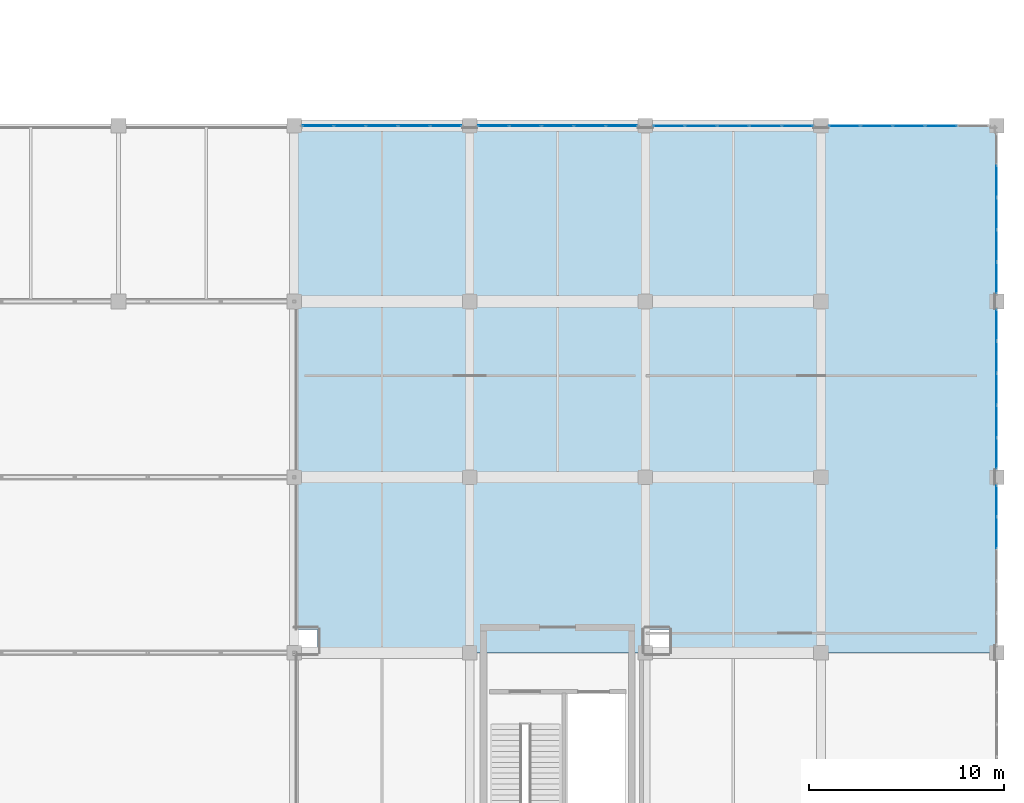
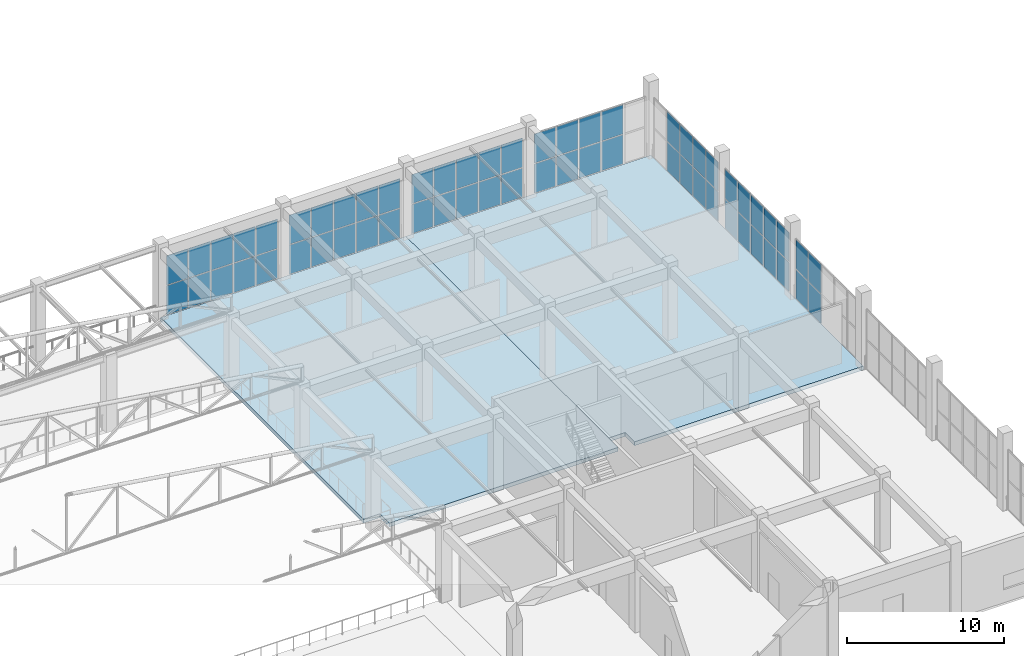
# One storey, part 175 of 223: 60 plates, 2 slabs, 7 elements without a shape of their own.
"""IFC4 building model written with IfcOpenShell, lengths in metres."""

from ifc_helpers import new_model, si_unit, direction, frame, origin, origin_2d, place, context, subcontext, project, spatial, polyline, rectangle, outline, extrude, material, layer, layer_set, type_object, element, aggregate, save


model = new_model("IFC4")

# Units and contexts
model_context = context("Model", 3, precision=1e-05, world=origin(), true_north=direction((0.0, 1.0)))
body_context = subcontext(model_context, "Body", "Model", "MODEL_VIEW")
ifc_project = project(units=[si_unit("LENGTHUNIT", "METRE"), si_unit("AREAUNIT", "SQUARE_METRE"), si_unit("VOLUMEUNIT", "CUBIC_METRE"), si_unit("PLANEANGLEUNIT", "RADIAN"), si_unit("MASSUNIT", "GRAM", prefix="KILO")], contexts=[model_context])

# Site, building, storey
site_placement = place(None, origin())
site = spatial("IfcSite", under=ifc_project, at=site_placement, CompositionType="ELEMENT")
building_placement = place(site_placement, origin())
building = spatial("IfcBuilding", under=site, at=building_placement, Name="Dornveld Trade and Exhibition Forum", CompositionType="ELEMENT")
storey_placement = place(building_placement, frame((0.0, 0.0, 6.0)))
storey = spatial("IfcBuildingStorey", under=building, at=storey_placement, Name="L01", CompositionType="ELEMENT", Elevation=6.0)

# Curtain wall, plates
ifc_material_1 = material(Name="Dark-bronze anodised aluminium and low-E glass", Category="aluminium")
ifc_layer_1 = layer(ifc_material_1, 0.14501953125)
ifc_layer_set_1 = layer_set([ifc_layer_1], Name="Dark-bronze anodised aluminium and low-E glass")
curtain_wall_type_1 = type_object("IfcCurtainWallType", Name="CW-SYS-01", PredefinedType="USERDEFINED", material=ifc_layer_set_1)
curtain_wall_1_placement = place(storey_placement, origin())
curtain_wall_1 = element("IfcCurtainWall", 1, at=curtain_wall_1_placement, inside=storey, type_object=curtain_wall_type_1, Name="L01 unitised curtain wall 73", ObjectType="UNITISED_CURTAIN_WALL", PredefinedType="USERDEFINED")
ifc_material_2 = material(Name="Double-glazed low-E solar control glass", Category="glass")
ifc_layer_2 = layer(ifc_material_2, 0.02587890625)
ifc_layer_set_2 = layer_set([ifc_layer_2], Name="Double-glazed low-E solar control glass")
plate_type_1 = type_object("IfcPlateType", Name="CW-PNL-01", PredefinedType="CURTAIN_PANEL", material=ifc_layer_set_2)
plate_1_placement = place(storey_placement, frame((234.0, 33.151611328125, 0.05615234375), z_axis=(0.0, 0.0, 1.0), x_axis=(0.0, 1.0, 0.0)))
plate_1 = element("IfcPlate", 2, at=plate_1_placement, type_object=plate_type_1, Name="CW-01 panel 4.1", PredefinedType="CURTAIN_PANEL", context=body_context, shape_type="SweptSolid", body=[
    extrude(rectangle(XDim=1.591552734375, YDim=0.02587890625, at=origin_2d()), origin(), (0.0, 0.0, 1.0), 2.261962890625),
])
plate_2_placement = place(storey_placement, frame((234.0, 33.151611328125, 2.3779296875), z_axis=(0.0, 0.0, 1.0), x_axis=(0.0, 1.0, 0.0)))
plate_2 = element("IfcPlate", 3, at=plate_2_placement, type_object=plate_type_1, Name="CW-01 panel 4.2", PredefinedType="CURTAIN_PANEL", context=body_context, shape_type="SweptSolid", body=[
    extrude(rectangle(XDim=1.591552734375, YDim=0.02587890625, at=origin_2d()), origin(), (0.0, 0.0, 1.0), 2.261962890625),
])
plate_3_placement = place(storey_placement, frame((234.0, 34.7880859375, 0.05615234375), z_axis=(0.0, 0.0, 1.0), x_axis=(0.0, 1.0, 0.0)))
plate_3 = element("IfcPlate", 4, at=plate_3_placement, type_object=plate_type_1, Name="CW-01 panel 5.1", PredefinedType="CURTAIN_PANEL", context=body_context, shape_type="SweptSolid", body=[
    extrude(rectangle(XDim=1.5615234375, YDim=0.02587890625, at=origin_2d()), origin(), (0.0, 0.0, 1.0), 2.261962890625),
])
plate_4_placement = place(storey_placement, frame((234.0, 34.7880859375, 2.3779296875), z_axis=(0.0, 0.0, 1.0), x_axis=(0.0, 1.0, 0.0)))
plate_4 = element("IfcPlate", 5, at=plate_4_placement, type_object=plate_type_1, Name="CW-01 panel 5.2", PredefinedType="CURTAIN_PANEL", context=body_context, shape_type="SweptSolid", body=[
    extrude(rectangle(XDim=1.5615234375, YDim=0.02587890625, at=origin_2d()), origin(), (0.0, 0.0, 1.0), 2.261962890625),
])
aggregate(curtain_wall_1, [plate_1, plate_2, plate_3, plate_4])

ifc_material_3 = material(Name="Dark-bronze anodised aluminium and low-E glass", Category="aluminium")
ifc_layer_3 = layer(ifc_material_3, 0.193115234375)
ifc_layer_set_3 = layer_set([ifc_layer_3], Name="Dark-bronze anodised aluminium and low-E glass")
curtain_wall_type_2 = type_object("IfcCurtainWallType", Name="CW-SYS-17", PredefinedType="USERDEFINED", material=ifc_layer_set_3)
curtain_wall_2_placement = place(storey_placement, origin())
curtain_wall_2 = element("IfcCurtainWall", 6, at=curtain_wall_2_placement, inside=storey, type_object=curtain_wall_type_2, Name="L01 unitised curtain wall 89", ObjectType="UNITISED_CURTAIN_WALL", PredefinedType="USERDEFINED")
plate_5_placement = place(storey_placement, frame((223.7880859375, 54.0, 0.05615234375), z_axis=(0.0, 0.0, 1.0), x_axis=(-1.0, 0.0, 0.0)))
plate_5 = element("IfcPlate", 7, at=plate_5_placement, type_object=plate_type_1, Name="CW-17 panel 1.1", PredefinedType="CURTAIN_PANEL", context=body_context, shape_type="SweptSolid", body=[
    extrude(rectangle(XDim=1.5615234375, YDim=0.02587890625, at=origin_2d()), origin(), (0.0, 0.0, 1.0), 2.261962890625),
])
plate_6_placement = place(storey_placement, frame((223.7880859375, 54.0, 2.3779296875), z_axis=(0.0, 0.0, 1.0), x_axis=(-1.0, 0.0, 0.0)))
plate_6 = element("IfcPlate", 8, at=plate_6_placement, type_object=plate_type_1, Name="CW-17 panel 1.2", PredefinedType="CURTAIN_PANEL", context=body_context, shape_type="SweptSolid", body=[
    extrude(rectangle(XDim=1.5615234375, YDim=0.02587890625, at=origin_2d()), origin(), (0.0, 0.0, 1.0), 2.261962890625),
])
plate_7_placement = place(storey_placement, frame((222.151611328125, 54.0, 0.05615234375), z_axis=(0.0, 0.0, 1.0), x_axis=(-1.0, 0.0, 0.0)))
plate_7 = element("IfcPlate", 9, at=plate_7_placement, type_object=plate_type_1, Name="CW-17 panel 2.1", PredefinedType="CURTAIN_PANEL", context=body_context, shape_type="SweptSolid", body=[
    extrude(rectangle(XDim=1.591552734375, YDim=0.02587890625, at=origin_2d()), origin(), (0.0, 0.0, 1.0), 2.261962890625),
])
plate_8_placement = place(storey_placement, frame((222.151611328125, 54.0, 2.3779296875), z_axis=(0.0, 0.0, 1.0), x_axis=(-1.0, 0.0, 0.0)))
plate_8 = element("IfcPlate", 10, at=plate_8_placement, type_object=plate_type_1, Name="CW-17 panel 2.2", PredefinedType="CURTAIN_PANEL", context=body_context, shape_type="SweptSolid", body=[
    extrude(rectangle(XDim=1.591552734375, YDim=0.02587890625, at=origin_2d()), origin(), (0.0, 0.0, 1.0), 2.261962890625),
])
plate_9_placement = place(storey_placement, frame((220.5, 54.0, 0.05615234375), z_axis=(0.0, 0.0, 1.0), x_axis=(-1.0, 0.0, 0.0)))
plate_9 = element("IfcPlate", 11, at=plate_9_placement, type_object=plate_type_1, Name="CW-17 panel 3.1", PredefinedType="CURTAIN_PANEL", context=body_context, shape_type="SweptSolid", body=[
    extrude(rectangle(XDim=1.591552734375, YDim=0.02587890625, at=origin_2d()), origin(), (0.0, 0.0, 1.0), 2.261962890625),
])
plate_10_placement = place(storey_placement, frame((220.5, 54.0, 2.3779296875), z_axis=(0.0, 0.0, 1.0), x_axis=(-1.0, 0.0, 0.0)))
plate_10 = element("IfcPlate", 12, at=plate_10_placement, type_object=plate_type_1, Name="CW-17 panel 3.2", PredefinedType="CURTAIN_PANEL", context=body_context, shape_type="SweptSolid", body=[
    extrude(rectangle(XDim=1.591552734375, YDim=0.02587890625, at=origin_2d()), origin(), (0.0, 0.0, 1.0), 2.261962890625),
])
plate_11_placement = place(storey_placement, frame((218.848388671875, 54.0, 0.05615234375), z_axis=(0.0, 0.0, 1.0), x_axis=(-1.0, 0.0, 0.0)))
plate_11 = element("IfcPlate", 13, at=plate_11_placement, type_object=plate_type_1, Name="CW-17 panel 4.1", PredefinedType="CURTAIN_PANEL", context=body_context, shape_type="SweptSolid", body=[
    extrude(rectangle(XDim=1.591552734375, YDim=0.02587890625, at=origin_2d()), origin(), (0.0, 0.0, 1.0), 2.261962890625),
])
plate_12_placement = place(storey_placement, frame((218.848388671875, 54.0, 2.3779296875), z_axis=(0.0, 0.0, 1.0), x_axis=(-1.0, 0.0, 0.0)))
plate_12 = element("IfcPlate", 14, at=plate_12_placement, type_object=plate_type_1, Name="CW-17 panel 4.2", PredefinedType="CURTAIN_PANEL", context=body_context, shape_type="SweptSolid", body=[
    extrude(rectangle(XDim=1.591552734375, YDim=0.02587890625, at=origin_2d()), origin(), (0.0, 0.0, 1.0), 2.261962890625),
])
plate_13_placement = place(storey_placement, frame((217.2119140625, 54.0, 0.05615234375), z_axis=(0.0, 0.0, 1.0), x_axis=(-1.0, 0.0, 0.0)))
plate_13 = element("IfcPlate", 15, at=plate_13_placement, type_object=plate_type_1, Name="CW-17 panel 5.1", PredefinedType="CURTAIN_PANEL", context=body_context, shape_type="SweptSolid", body=[
    extrude(rectangle(XDim=1.5615234375, YDim=0.02587890625, at=origin_2d()), origin(), (0.0, 0.0, 1.0), 2.261962890625),
])
plate_14_placement = place(storey_placement, frame((217.2119140625, 54.0, 2.3779296875), z_axis=(0.0, 0.0, 1.0), x_axis=(-1.0, 0.0, 0.0)))
plate_14 = element("IfcPlate", 16, at=plate_14_placement, type_object=plate_type_1, Name="CW-17 panel 5.2", PredefinedType="CURTAIN_PANEL", context=body_context, shape_type="SweptSolid", body=[
    extrude(rectangle(XDim=1.5615234375, YDim=0.02587890625, at=origin_2d()), origin(), (0.0, 0.0, 1.0), 2.261962890625),
])
aggregate(curtain_wall_2, [plate_5, plate_6, plate_7, plate_8, plate_9, plate_10, plate_11, plate_12, plate_13, plate_14])

ifc_material_4 = material(Name="Dark-bronze anodised aluminium and low-E glass", Category="aluminium")
ifc_layer_4 = layer(ifc_material_4, 0.14794921875)
ifc_layer_set_4 = layer_set([ifc_layer_4], Name="Dark-bronze anodised aluminium and low-E glass")
curtain_wall_type_3 = type_object("IfcCurtainWallType", Name="CW-SYS-02", PredefinedType="USERDEFINED", material=ifc_layer_set_4)
curtain_wall_3_placement = place(storey_placement, origin())
curtain_wall_3 = element("IfcCurtainWall", 17, at=curtain_wall_3_placement, inside=storey, type_object=curtain_wall_type_3, Name="L01 unitised curtain wall 74", ObjectType="UNITISED_CURTAIN_WALL", PredefinedType="USERDEFINED")
ifc_material_5 = material(Name="Double-glazed low-E solar control glass", Category="glass")
ifc_layer_5 = layer(ifc_material_5, 0.028076171875)
ifc_layer_set_5 = layer_set([ifc_layer_5], Name="Double-glazed low-E solar control glass")
plate_type_2 = type_object("IfcPlateType", Name="CW-PNL-02", PredefinedType="CURTAIN_PANEL", material=ifc_layer_set_5)
plate_15_placement = place(storey_placement, frame((234.0, 37.2119140625, 0.05615234375), z_axis=(0.0, 0.0, 1.0), x_axis=(0.0, 1.0, 0.0)))
plate_15 = element("IfcPlate", 18, at=plate_15_placement, type_object=plate_type_2, Name="CW-02 panel 1.1", PredefinedType="CURTAIN_PANEL", context=body_context, shape_type="SweptSolid", body=[
    extrude(rectangle(XDim=1.5615234375, YDim=0.028076171875, at=origin_2d()), origin(), (0.0, 0.0, 1.0), 2.261962890625),
])
plate_16_placement = place(storey_placement, frame((234.0, 37.2119140625, 2.3779296875), z_axis=(0.0, 0.0, 1.0), x_axis=(0.0, 1.0, 0.0)))
plate_16 = element("IfcPlate", 19, at=plate_16_placement, type_object=plate_type_2, Name="CW-02 panel 1.2", PredefinedType="CURTAIN_PANEL", context=body_context, shape_type="SweptSolid", body=[
    extrude(rectangle(XDim=1.5615234375, YDim=0.028076171875, at=origin_2d()), origin(), (0.0, 0.0, 1.0), 2.261962890625),
])
plate_17_placement = place(storey_placement, frame((234.0, 38.848388671875, 0.05615234375), z_axis=(0.0, 0.0, 1.0), x_axis=(0.0, 1.0, 0.0)))
plate_17 = element("IfcPlate", 20, at=plate_17_placement, type_object=plate_type_2, Name="CW-02 panel 2.1", PredefinedType="CURTAIN_PANEL", context=body_context, shape_type="SweptSolid", body=[
    extrude(rectangle(XDim=1.591552734375, YDim=0.028076171875, at=origin_2d()), origin(), (0.0, 0.0, 1.0), 2.261962890625),
])
plate_18_placement = place(storey_placement, frame((234.0, 38.848388671875, 2.3779296875), z_axis=(0.0, 0.0, 1.0), x_axis=(0.0, 1.0, 0.0)))
plate_18 = element("IfcPlate", 21, at=plate_18_placement, type_object=plate_type_2, Name="CW-02 panel 2.2", PredefinedType="CURTAIN_PANEL", context=body_context, shape_type="SweptSolid", body=[
    extrude(rectangle(XDim=1.591552734375, YDim=0.028076171875, at=origin_2d()), origin(), (0.0, 0.0, 1.0), 2.261962890625),
])
plate_19_placement = place(storey_placement, frame((234.0, 40.5, 0.05615234375), z_axis=(0.0, 0.0, 1.0), x_axis=(0.0, 1.0, 0.0)))
plate_19 = element("IfcPlate", 22, at=plate_19_placement, type_object=plate_type_2, Name="CW-02 panel 3.1", PredefinedType="CURTAIN_PANEL", context=body_context, shape_type="SweptSolid", body=[
    extrude(rectangle(XDim=1.591552734375, YDim=0.028076171875, at=origin_2d()), origin(), (0.0, 0.0, 1.0), 2.261962890625),
])
plate_20_placement = place(storey_placement, frame((234.0, 40.5, 2.3779296875), z_axis=(0.0, 0.0, 1.0), x_axis=(0.0, 1.0, 0.0)))
plate_20 = element("IfcPlate", 23, at=plate_20_placement, type_object=plate_type_2, Name="CW-02 panel 3.2", PredefinedType="CURTAIN_PANEL", context=body_context, shape_type="SweptSolid", body=[
    extrude(rectangle(XDim=1.591552734375, YDim=0.028076171875, at=origin_2d()), origin(), (0.0, 0.0, 1.0), 2.261962890625),
])
plate_21_placement = place(storey_placement, frame((234.0, 42.151611328125, 0.05615234375), z_axis=(0.0, 0.0, 1.0), x_axis=(0.0, 1.0, 0.0)))
plate_21 = element("IfcPlate", 24, at=plate_21_placement, type_object=plate_type_2, Name="CW-02 panel 4.1", PredefinedType="CURTAIN_PANEL", context=body_context, shape_type="SweptSolid", body=[
    extrude(rectangle(XDim=1.591552734375, YDim=0.028076171875, at=origin_2d()), origin(), (0.0, 0.0, 1.0), 2.261962890625),
])
plate_22_placement = place(storey_placement, frame((234.0, 42.151611328125, 2.3779296875), z_axis=(0.0, 0.0, 1.0), x_axis=(0.0, 1.0, 0.0)))
plate_22 = element("IfcPlate", 25, at=plate_22_placement, type_object=plate_type_2, Name="CW-02 panel 4.2", PredefinedType="CURTAIN_PANEL", context=body_context, shape_type="SweptSolid", body=[
    extrude(rectangle(XDim=1.591552734375, YDim=0.028076171875, at=origin_2d()), origin(), (0.0, 0.0, 1.0), 2.261962890625),
])
plate_23_placement = place(storey_placement, frame((234.0, 43.7880859375, 0.05615234375), z_axis=(0.0, 0.0, 1.0), x_axis=(0.0, 1.0, 0.0)))
plate_23 = element("IfcPlate", 26, at=plate_23_placement, type_object=plate_type_2, Name="CW-02 panel 5.1", PredefinedType="CURTAIN_PANEL", context=body_context, shape_type="SweptSolid", body=[
    extrude(rectangle(XDim=1.5615234375, YDim=0.028076171875, at=origin_2d()), origin(), (0.0, 0.0, 1.0), 2.261962890625),
])
plate_24_placement = place(storey_placement, frame((234.0, 43.7880859375, 2.3779296875), z_axis=(0.0, 0.0, 1.0), x_axis=(0.0, 1.0, 0.0)))
plate_24 = element("IfcPlate", 27, at=plate_24_placement, type_object=plate_type_2, Name="CW-02 panel 5.2", PredefinedType="CURTAIN_PANEL", context=body_context, shape_type="SweptSolid", body=[
    extrude(rectangle(XDim=1.5615234375, YDim=0.028076171875, at=origin_2d()), origin(), (0.0, 0.0, 1.0), 2.261962890625),
])
aggregate(curtain_wall_3, [plate_15, plate_16, plate_17, plate_18, plate_19, plate_20, plate_21, plate_22, plate_23, plate_24])

ifc_material_6 = material(Name="Dark-bronze anodised aluminium and low-E glass", Category="aluminium")
ifc_layer_6 = layer(ifc_material_6, 0.196044921875)
ifc_layer_set_6 = layer_set([ifc_layer_6], Name="Dark-bronze anodised aluminium and low-E glass")
curtain_wall_type_4 = type_object("IfcCurtainWallType", Name="CW-SYS-18", PredefinedType="USERDEFINED", material=ifc_layer_set_6)
curtain_wall_4_placement = place(storey_placement, origin())
curtain_wall_4 = element("IfcCurtainWall", 28, at=curtain_wall_4_placement, inside=storey, type_object=curtain_wall_type_4, Name="L01 unitised curtain wall 90", ObjectType="UNITISED_CURTAIN_WALL", PredefinedType="USERDEFINED")
plate_25_placement = place(storey_placement, frame((231.151611328125, 54.0, 0.05615234375), z_axis=(0.0, 0.0, 1.0), x_axis=(-1.0, 0.0, 0.0)))
plate_25 = element("IfcPlate", 29, at=plate_25_placement, type_object=plate_type_2, Name="CW-18 panel 2.1", PredefinedType="CURTAIN_PANEL", context=body_context, shape_type="SweptSolid", body=[
    extrude(rectangle(XDim=1.591552734375, YDim=0.028076171875, at=origin_2d()), origin(), (0.0, 0.0, 1.0), 2.261962890625),
])
plate_26_placement = place(storey_placement, frame((231.151611328125, 54.0, 2.3779296875), z_axis=(0.0, 0.0, 1.0), x_axis=(-1.0, 0.0, 0.0)))
plate_26 = element("IfcPlate", 30, at=plate_26_placement, type_object=plate_type_2, Name="CW-18 panel 2.2", PredefinedType="CURTAIN_PANEL", context=body_context, shape_type="SweptSolid", body=[
    extrude(rectangle(XDim=1.591552734375, YDim=0.028076171875, at=origin_2d()), origin(), (0.0, 0.0, 1.0), 2.261962890625),
])
plate_27_placement = place(storey_placement, frame((229.5, 54.0, 0.05615234375), z_axis=(0.0, 0.0, 1.0), x_axis=(-1.0, 0.0, 0.0)))
plate_27 = element("IfcPlate", 31, at=plate_27_placement, type_object=plate_type_2, Name="CW-18 panel 3.1", PredefinedType="CURTAIN_PANEL", context=body_context, shape_type="SweptSolid", body=[
    extrude(rectangle(XDim=1.591552734375, YDim=0.028076171875, at=origin_2d()), origin(), (0.0, 0.0, 1.0), 2.261962890625),
])
plate_28_placement = place(storey_placement, frame((229.5, 54.0, 2.3779296875), z_axis=(0.0, 0.0, 1.0), x_axis=(-1.0, 0.0, 0.0)))
plate_28 = element("IfcPlate", 32, at=plate_28_placement, type_object=plate_type_2, Name="CW-18 panel 3.2", PredefinedType="CURTAIN_PANEL", context=body_context, shape_type="SweptSolid", body=[
    extrude(rectangle(XDim=1.591552734375, YDim=0.028076171875, at=origin_2d()), origin(), (0.0, 0.0, 1.0), 2.261962890625),
])
plate_29_placement = place(storey_placement, frame((227.848388671875, 54.0, 0.05615234375), z_axis=(0.0, 0.0, 1.0), x_axis=(-1.0, 0.0, 0.0)))
plate_29 = element("IfcPlate", 33, at=plate_29_placement, type_object=plate_type_2, Name="CW-18 panel 4.1", PredefinedType="CURTAIN_PANEL", context=body_context, shape_type="SweptSolid", body=[
    extrude(rectangle(XDim=1.591552734375, YDim=0.028076171875, at=origin_2d()), origin(), (0.0, 0.0, 1.0), 2.261962890625),
])
plate_30_placement = place(storey_placement, frame((227.848388671875, 54.0, 2.3779296875), z_axis=(0.0, 0.0, 1.0), x_axis=(-1.0, 0.0, 0.0)))
plate_30 = element("IfcPlate", 34, at=plate_30_placement, type_object=plate_type_2, Name="CW-18 panel 4.2", PredefinedType="CURTAIN_PANEL", context=body_context, shape_type="SweptSolid", body=[
    extrude(rectangle(XDim=1.591552734375, YDim=0.028076171875, at=origin_2d()), origin(), (0.0, 0.0, 1.0), 2.261962890625),
])
plate_31_placement = place(storey_placement, frame((226.2119140625, 54.0, 0.05615234375), z_axis=(0.0, 0.0, 1.0), x_axis=(-1.0, 0.0, 0.0)))
plate_31 = element("IfcPlate", 35, at=plate_31_placement, type_object=plate_type_2, Name="CW-18 panel 5.1", PredefinedType="CURTAIN_PANEL", context=body_context, shape_type="SweptSolid", body=[
    extrude(rectangle(XDim=1.5615234375, YDim=0.028076171875, at=origin_2d()), origin(), (0.0, 0.0, 1.0), 2.261962890625),
])
plate_32_placement = place(storey_placement, frame((226.2119140625, 54.0, 2.3779296875), z_axis=(0.0, 0.0, 1.0), x_axis=(-1.0, 0.0, 0.0)))
plate_32 = element("IfcPlate", 36, at=plate_32_placement, type_object=plate_type_2, Name="CW-18 panel 5.2", PredefinedType="CURTAIN_PANEL", context=body_context, shape_type="SweptSolid", body=[
    extrude(rectangle(XDim=1.5615234375, YDim=0.028076171875, at=origin_2d()), origin(), (0.0, 0.0, 1.0), 2.261962890625),
])
aggregate(curtain_wall_4, [plate_25, plate_26, plate_27, plate_28, plate_29, plate_30, plate_31, plate_32])

ifc_material_7 = material(Name="Dark-bronze anodised aluminium and low-E glass", Category="aluminium")
ifc_layer_7 = layer(ifc_material_7, 0.15087890625)
ifc_layer_set_7 = layer_set([ifc_layer_7], Name="Dark-bronze anodised aluminium and low-E glass")
curtain_wall_type_5 = type_object("IfcCurtainWallType", Name="CW-SYS-03", PredefinedType="USERDEFINED", material=ifc_layer_set_7)
curtain_wall_5_placement = place(storey_placement, origin())
curtain_wall_5 = element("IfcCurtainWall", 37, at=curtain_wall_5_placement, inside=storey, type_object=curtain_wall_type_5, Name="L01 unitised curtain wall 75", ObjectType="UNITISED_CURTAIN_WALL", PredefinedType="USERDEFINED")
ifc_material_8 = material(Name="Double-glazed low-E solar control glass", Category="glass")
ifc_layer_8 = layer(ifc_material_8, 0.030029296875)
ifc_layer_set_8 = layer_set([ifc_layer_8], Name="Double-glazed low-E solar control glass")
plate_type_3 = type_object("IfcPlateType", Name="CW-PNL-03", PredefinedType="CURTAIN_PANEL", material=ifc_layer_set_8)
plate_33_placement = place(storey_placement, frame((234.0, 46.2119140625, 0.05615234375), z_axis=(0.0, 0.0, 1.0), x_axis=(0.0, 1.0, 0.0)))
plate_33 = element("IfcPlate", 38, at=plate_33_placement, type_object=plate_type_3, Name="CW-03 panel 1.1", PredefinedType="CURTAIN_PANEL", context=body_context, shape_type="SweptSolid", body=[
    extrude(rectangle(XDim=1.5615234375, YDim=0.030029296875, at=origin_2d()), origin(), (0.0, 0.0, 1.0), 2.261962890625),
])
plate_34_placement = place(storey_placement, frame((234.0, 46.2119140625, 2.3779296875), z_axis=(0.0, 0.0, 1.0), x_axis=(0.0, 1.0, 0.0)))
plate_34 = element("IfcPlate", 39, at=plate_34_placement, type_object=plate_type_3, Name="CW-03 panel 1.2", PredefinedType="CURTAIN_PANEL", context=body_context, shape_type="SweptSolid", body=[
    extrude(rectangle(XDim=1.5615234375, YDim=0.030029296875, at=origin_2d()), origin(), (0.0, 0.0, 1.0), 2.261962890625),
])
plate_35_placement = place(storey_placement, frame((234.0, 47.848388671875, 0.05615234375), z_axis=(0.0, 0.0, 1.0), x_axis=(0.0, 1.0, 0.0)))
plate_35 = element("IfcPlate", 40, at=plate_35_placement, type_object=plate_type_3, Name="CW-03 panel 2.1", PredefinedType="CURTAIN_PANEL", context=body_context, shape_type="SweptSolid", body=[
    extrude(rectangle(XDim=1.591552734375, YDim=0.030029296875, at=origin_2d()), origin(), (0.0, 0.0, 1.0), 2.261962890625),
])
plate_36_placement = place(storey_placement, frame((234.0, 47.848388671875, 2.3779296875), z_axis=(0.0, 0.0, 1.0), x_axis=(0.0, 1.0, 0.0)))
plate_36 = element("IfcPlate", 41, at=plate_36_placement, type_object=plate_type_3, Name="CW-03 panel 2.2", PredefinedType="CURTAIN_PANEL", context=body_context, shape_type="SweptSolid", body=[
    extrude(rectangle(XDim=1.591552734375, YDim=0.030029296875, at=origin_2d()), origin(), (0.0, 0.0, 1.0), 2.261962890625),
])
plate_37_placement = place(storey_placement, frame((234.0, 49.5, 0.05615234375), z_axis=(0.0, 0.0, 1.0), x_axis=(0.0, 1.0, 0.0)))
plate_37 = element("IfcPlate", 42, at=plate_37_placement, type_object=plate_type_3, Name="CW-03 panel 3.1", PredefinedType="CURTAIN_PANEL", context=body_context, shape_type="SweptSolid", body=[
    extrude(rectangle(XDim=1.591552734375, YDim=0.030029296875, at=origin_2d()), origin(), (0.0, 0.0, 1.0), 2.261962890625),
])
plate_38_placement = place(storey_placement, frame((234.0, 49.5, 2.3779296875), z_axis=(0.0, 0.0, 1.0), x_axis=(0.0, 1.0, 0.0)))
plate_38 = element("IfcPlate", 43, at=plate_38_placement, type_object=plate_type_3, Name="CW-03 panel 3.2", PredefinedType="CURTAIN_PANEL", context=body_context, shape_type="SweptSolid", body=[
    extrude(rectangle(XDim=1.591552734375, YDim=0.030029296875, at=origin_2d()), origin(), (0.0, 0.0, 1.0), 2.261962890625),
])
plate_39_placement = place(storey_placement, frame((234.0, 51.151611328125, 0.05615234375), z_axis=(0.0, 0.0, 1.0), x_axis=(0.0, 1.0, 0.0)))
plate_39 = element("IfcPlate", 44, at=plate_39_placement, type_object=plate_type_3, Name="CW-03 panel 4.1", PredefinedType="CURTAIN_PANEL", context=body_context, shape_type="SweptSolid", body=[
    extrude(rectangle(XDim=1.591552734375, YDim=0.030029296875, at=origin_2d()), origin(), (0.0, 0.0, 1.0), 2.261962890625),
])
plate_40_placement = place(storey_placement, frame((234.0, 51.151611328125, 2.3779296875), z_axis=(0.0, 0.0, 1.0), x_axis=(0.0, 1.0, 0.0)))
plate_40 = element("IfcPlate", 45, at=plate_40_placement, type_object=plate_type_3, Name="CW-03 panel 4.2", PredefinedType="CURTAIN_PANEL", context=body_context, shape_type="SweptSolid", body=[
    extrude(rectangle(XDim=1.591552734375, YDim=0.030029296875, at=origin_2d()), origin(), (0.0, 0.0, 1.0), 2.261962890625),
])
aggregate(curtain_wall_5, [plate_33, plate_34, plate_35, plate_36, plate_37, plate_38, plate_39, plate_40])

ifc_material_9 = material(Name="Dark-bronze anodised aluminium and low-E glass", Category="aluminium")
ifc_layer_9 = layer(ifc_material_9, 0.18701171875)
ifc_layer_set_9 = layer_set([ifc_layer_9], Name="Dark-bronze anodised aluminium and low-E glass")
curtain_wall_type_6 = type_object("IfcCurtainWallType", Name="CW-SYS-15", PredefinedType="USERDEFINED", material=ifc_layer_set_9)
curtain_wall_6_placement = place(storey_placement, origin())
curtain_wall_6 = element("IfcCurtainWall", 46, at=curtain_wall_6_placement, inside=storey, type_object=curtain_wall_type_6, Name="L01 unitised curtain wall 87", ObjectType="UNITISED_CURTAIN_WALL", PredefinedType="USERDEFINED")
ifc_material_10 = material(Name="Double-glazed low-E solar control glass", Category="glass")
ifc_layer_10 = layer(ifc_material_10, 0.0380859375)
ifc_layer_set_10 = layer_set([ifc_layer_10], Name="Double-glazed low-E solar control glass")
plate_type_4 = type_object("IfcPlateType", Name="CW-PNL-07", PredefinedType="CURTAIN_PANEL", material=ifc_layer_set_10)
plate_41_placement = place(storey_placement, frame((205.7880859375, 54.0, 0.05615234375), z_axis=(0.0, 0.0, 1.0), x_axis=(-1.0, 0.0, 0.0)))
plate_41 = element("IfcPlate", 47, at=plate_41_placement, type_object=plate_type_4, Name="CW-15 panel 1.1", PredefinedType="CURTAIN_PANEL", context=body_context, shape_type="SweptSolid", body=[
    extrude(rectangle(XDim=1.5615234375, YDim=0.0380859375, at=origin_2d()), origin(), (0.0, 0.0, 1.0), 2.261962890625),
])
plate_42_placement = place(storey_placement, frame((205.7880859375, 54.0, 2.3779296875), z_axis=(0.0, 0.0, 1.0), x_axis=(-1.0, 0.0, 0.0)))
plate_42 = element("IfcPlate", 48, at=plate_42_placement, type_object=plate_type_4, Name="CW-15 panel 1.2", PredefinedType="CURTAIN_PANEL", context=body_context, shape_type="SweptSolid", body=[
    extrude(rectangle(XDim=1.5615234375, YDim=0.0380859375, at=origin_2d()), origin(), (0.0, 0.0, 1.0), 2.261962890625),
])
plate_43_placement = place(storey_placement, frame((204.151611328125, 54.0, 0.05615234375), z_axis=(0.0, 0.0, 1.0), x_axis=(-1.0, 0.0, 0.0)))
plate_43 = element("IfcPlate", 49, at=plate_43_placement, type_object=plate_type_4, Name="CW-15 panel 2.1", PredefinedType="CURTAIN_PANEL", context=body_context, shape_type="SweptSolid", body=[
    extrude(rectangle(XDim=1.591552734375, YDim=0.0380859375, at=origin_2d()), origin(), (0.0, 0.0, 1.0), 2.261962890625),
])
plate_44_placement = place(storey_placement, frame((204.151611328125, 54.0, 2.3779296875), z_axis=(0.0, 0.0, 1.0), x_axis=(-1.0, 0.0, 0.0)))
plate_44 = element("IfcPlate", 50, at=plate_44_placement, type_object=plate_type_4, Name="CW-15 panel 2.2", PredefinedType="CURTAIN_PANEL", context=body_context, shape_type="SweptSolid", body=[
    extrude(rectangle(XDim=1.591552734375, YDim=0.0380859375, at=origin_2d()), origin(), (0.0, 0.0, 1.0), 2.261962890625),
])
plate_45_placement = place(storey_placement, frame((202.5, 54.0, 0.05615234375), z_axis=(0.0, 0.0, 1.0), x_axis=(-1.0, 0.0, 0.0)))
plate_45 = element("IfcPlate", 51, at=plate_45_placement, type_object=plate_type_4, Name="CW-15 panel 3.1", PredefinedType="CURTAIN_PANEL", context=body_context, shape_type="SweptSolid", body=[
    extrude(rectangle(XDim=1.591552734375, YDim=0.0380859375, at=origin_2d()), origin(), (0.0, 0.0, 1.0), 2.261962890625),
])
plate_46_placement = place(storey_placement, frame((202.5, 54.0, 2.3779296875), z_axis=(0.0, 0.0, 1.0), x_axis=(-1.0, 0.0, 0.0)))
plate_46 = element("IfcPlate", 52, at=plate_46_placement, type_object=plate_type_4, Name="CW-15 panel 3.2", PredefinedType="CURTAIN_PANEL", context=body_context, shape_type="SweptSolid", body=[
    extrude(rectangle(XDim=1.591552734375, YDim=0.0380859375, at=origin_2d()), origin(), (0.0, 0.0, 1.0), 2.261962890625),
])
plate_47_placement = place(storey_placement, frame((200.848388671875, 54.0, 0.05615234375), z_axis=(0.0, 0.0, 1.0), x_axis=(-1.0, 0.0, 0.0)))
plate_47 = element("IfcPlate", 53, at=plate_47_placement, type_object=plate_type_4, Name="CW-15 panel 4.1", PredefinedType="CURTAIN_PANEL", context=body_context, shape_type="SweptSolid", body=[
    extrude(rectangle(XDim=1.591552734375, YDim=0.0380859375, at=origin_2d()), origin(), (0.0, 0.0, 1.0), 2.261962890625),
])
plate_48_placement = place(storey_placement, frame((200.848388671875, 54.0, 2.3779296875), z_axis=(0.0, 0.0, 1.0), x_axis=(-1.0, 0.0, 0.0)))
plate_48 = element("IfcPlate", 54, at=plate_48_placement, type_object=plate_type_4, Name="CW-15 panel 4.2", PredefinedType="CURTAIN_PANEL", context=body_context, shape_type="SweptSolid", body=[
    extrude(rectangle(XDim=1.591552734375, YDim=0.0380859375, at=origin_2d()), origin(), (0.0, 0.0, 1.0), 2.261962890625),
])
plate_49_placement = place(storey_placement, frame((199.2119140625, 54.0, 0.05615234375), z_axis=(0.0, 0.0, 1.0), x_axis=(-1.0, 0.0, 0.0)))
plate_49 = element("IfcPlate", 55, at=plate_49_placement, type_object=plate_type_4, Name="CW-15 panel 5.1", PredefinedType="CURTAIN_PANEL", context=body_context, shape_type="SweptSolid", body=[
    extrude(rectangle(XDim=1.5615234375, YDim=0.0380859375, at=origin_2d()), origin(), (0.0, 0.0, 1.0), 2.261962890625),
])
plate_50_placement = place(storey_placement, frame((199.2119140625, 54.0, 2.3779296875), z_axis=(0.0, 0.0, 1.0), x_axis=(-1.0, 0.0, 0.0)))
plate_50 = element("IfcPlate", 56, at=plate_50_placement, type_object=plate_type_4, Name="CW-15 panel 5.2", PredefinedType="CURTAIN_PANEL", context=body_context, shape_type="SweptSolid", body=[
    extrude(rectangle(XDim=1.5615234375, YDim=0.0380859375, at=origin_2d()), origin(), (0.0, 0.0, 1.0), 2.261962890625),
])
aggregate(curtain_wall_6, [plate_41, plate_42, plate_43, plate_44, plate_45, plate_46, plate_47, plate_48, plate_49, plate_50])

ifc_material_11 = material(Name="Dark-bronze anodised aluminium and low-E glass", Category="aluminium")
ifc_layer_11 = layer(ifc_material_11, 0.18994140625)
ifc_layer_set_11 = layer_set([ifc_layer_11], Name="Dark-bronze anodised aluminium and low-E glass")
curtain_wall_type_7 = type_object("IfcCurtainWallType", Name="CW-SYS-16", PredefinedType="USERDEFINED", material=ifc_layer_set_11)
curtain_wall_7_placement = place(storey_placement, origin())
curtain_wall_7 = element("IfcCurtainWall", 57, at=curtain_wall_7_placement, inside=storey, type_object=curtain_wall_type_7, Name="L01 unitised curtain wall 88", ObjectType="UNITISED_CURTAIN_WALL", PredefinedType="USERDEFINED")
ifc_material_12 = material(Name="Double-glazed low-E solar control glass", Category="glass")
ifc_layer_12 = layer(ifc_material_12, 0.0400390625)
ifc_layer_set_12 = layer_set([ifc_layer_12], Name="Double-glazed low-E solar control glass")
plate_type_5 = type_object("IfcPlateType", Name="CW-PNL-08", PredefinedType="CURTAIN_PANEL", material=ifc_layer_set_12)
plate_51_placement = place(storey_placement, frame((214.7880859375, 54.0, 0.05615234375), z_axis=(0.0, 0.0, 1.0), x_axis=(-1.0, 0.0, 0.0)))
plate_51 = element("IfcPlate", 58, at=plate_51_placement, type_object=plate_type_5, Name="CW-16 panel 1.1", PredefinedType="CURTAIN_PANEL", context=body_context, shape_type="SweptSolid", body=[
    extrude(rectangle(XDim=1.5615234375, YDim=0.0400390625, at=origin_2d()), origin(), (0.0, 0.0, 1.0), 2.261962890625),
])
plate_52_placement = place(storey_placement, frame((214.7880859375, 54.0, 2.3779296875), z_axis=(0.0, 0.0, 1.0), x_axis=(-1.0, 0.0, 0.0)))
plate_52 = element("IfcPlate", 59, at=plate_52_placement, type_object=plate_type_5, Name="CW-16 panel 1.2", PredefinedType="CURTAIN_PANEL", context=body_context, shape_type="SweptSolid", body=[
    extrude(rectangle(XDim=1.5615234375, YDim=0.0400390625, at=origin_2d()), origin(), (0.0, 0.0, 1.0), 2.261962890625),
])
plate_53_placement = place(storey_placement, frame((213.151611328125, 54.0, 0.05615234375), z_axis=(0.0, 0.0, 1.0), x_axis=(-1.0, 0.0, 0.0)))
plate_53 = element("IfcPlate", 60, at=plate_53_placement, type_object=plate_type_5, Name="CW-16 panel 2.1", PredefinedType="CURTAIN_PANEL", context=body_context, shape_type="SweptSolid", body=[
    extrude(rectangle(XDim=1.591552734375, YDim=0.0400390625, at=origin_2d()), origin(), (0.0, 0.0, 1.0), 2.261962890625),
])
plate_54_placement = place(storey_placement, frame((213.151611328125, 54.0, 2.3779296875), z_axis=(0.0, 0.0, 1.0), x_axis=(-1.0, 0.0, 0.0)))
plate_54 = element("IfcPlate", 61, at=plate_54_placement, type_object=plate_type_5, Name="CW-16 panel 2.2", PredefinedType="CURTAIN_PANEL", context=body_context, shape_type="SweptSolid", body=[
    extrude(rectangle(XDim=1.591552734375, YDim=0.0400390625, at=origin_2d()), origin(), (0.0, 0.0, 1.0), 2.261962890625),
])
plate_55_placement = place(storey_placement, frame((211.5, 54.0, 0.05615234375), z_axis=(0.0, 0.0, 1.0), x_axis=(-1.0, 0.0, 0.0)))
plate_55 = element("IfcPlate", 62, at=plate_55_placement, type_object=plate_type_5, Name="CW-16 panel 3.1", PredefinedType="CURTAIN_PANEL", context=body_context, shape_type="SweptSolid", body=[
    extrude(rectangle(XDim=1.591552734375, YDim=0.0400390625, at=origin_2d()), origin(), (0.0, 0.0, 1.0), 2.261962890625),
])
plate_56_placement = place(storey_placement, frame((211.5, 54.0, 2.3779296875), z_axis=(0.0, 0.0, 1.0), x_axis=(-1.0, 0.0, 0.0)))
plate_56 = element("IfcPlate", 63, at=plate_56_placement, type_object=plate_type_5, Name="CW-16 panel 3.2", PredefinedType="CURTAIN_PANEL", context=body_context, shape_type="SweptSolid", body=[
    extrude(rectangle(XDim=1.591552734375, YDim=0.0400390625, at=origin_2d()), origin(), (0.0, 0.0, 1.0), 2.261962890625),
])
plate_57_placement = place(storey_placement, frame((209.848388671875, 54.0, 0.05615234375), z_axis=(0.0, 0.0, 1.0), x_axis=(-1.0, 0.0, 0.0)))
plate_57 = element("IfcPlate", 64, at=plate_57_placement, type_object=plate_type_5, Name="CW-16 panel 4.1", PredefinedType="CURTAIN_PANEL", context=body_context, shape_type="SweptSolid", body=[
    extrude(rectangle(XDim=1.591552734375, YDim=0.0400390625, at=origin_2d()), origin(), (0.0, 0.0, 1.0), 2.261962890625),
])
plate_58_placement = place(storey_placement, frame((209.848388671875, 54.0, 2.3779296875), z_axis=(0.0, 0.0, 1.0), x_axis=(-1.0, 0.0, 0.0)))
plate_58 = element("IfcPlate", 65, at=plate_58_placement, type_object=plate_type_5, Name="CW-16 panel 4.2", PredefinedType="CURTAIN_PANEL", context=body_context, shape_type="SweptSolid", body=[
    extrude(rectangle(XDim=1.591552734375, YDim=0.0400390625, at=origin_2d()), origin(), (0.0, 0.0, 1.0), 2.261962890625),
])
plate_59_placement = place(storey_placement, frame((208.2119140625, 54.0, 0.05615234375), z_axis=(0.0, 0.0, 1.0), x_axis=(-1.0, 0.0, 0.0)))
plate_59 = element("IfcPlate", 66, at=plate_59_placement, type_object=plate_type_5, Name="CW-16 panel 5.1", PredefinedType="CURTAIN_PANEL", context=body_context, shape_type="SweptSolid", body=[
    extrude(rectangle(XDim=1.5615234375, YDim=0.0400390625, at=origin_2d()), origin(), (0.0, 0.0, 1.0), 2.261962890625),
])
plate_60_placement = place(storey_placement, frame((208.2119140625, 54.0, 2.3779296875), z_axis=(0.0, 0.0, 1.0), x_axis=(-1.0, 0.0, 0.0)))
plate_60 = element("IfcPlate", 67, at=plate_60_placement, type_object=plate_type_5, Name="CW-16 panel 5.2", PredefinedType="CURTAIN_PANEL", context=body_context, shape_type="SweptSolid", body=[
    extrude(rectangle(XDim=1.5615234375, YDim=0.0400390625, at=origin_2d()), origin(), (0.0, 0.0, 1.0), 2.261962890625),
])
aggregate(curtain_wall_7, [plate_51, plate_52, plate_53, plate_54, plate_55, plate_56, plate_57, plate_58, plate_59, plate_60])

# Slabs
ifc_material_13 = material(Name="Precast concrete C50/60", Category="concrete")
ifc_layer_13 = layer(ifc_material_13, 0.260009765625)
ifc_layer_set_13 = layer_set([ifc_layer_13], Name="Precast concrete C50/60")
slab_type = type_object("IfcSlabType", Name="SL-OFF-260", PredefinedType="FLOOR", material=ifc_layer_set_13)
slab_1_placement = place(storey_placement, frame((0.0, 0.0, -0.300048828125)))
element("IfcSlab", 68, at=slab_1_placement, inside=storey, type_object=slab_type, Name="L01 structural slab panel 46", PredefinedType="FLOOR", context=body_context, shape_type="SweptSolid", body=[
    extrude(outline(polyline([(199.199951171875, 27.0), (216.0, 27.0), (216.0, 54.0), (198.0, 54.0), (198.0, 28.199951171875), (199.199951171875, 28.199951171875), (199.199951171875, 27.0)])), origin(), (0.0, 0.0, 1.0), 0.300048828125),
])
slab_2_placement = place(storey_placement, frame((0.0, 0.0, -0.300048828125)))
element("IfcSlab", 69, at=slab_2_placement, inside=storey, type_object=slab_type, Name="L01 structural slab panel 48", PredefinedType="FLOOR", context=body_context, shape_type="SweptSolid", body=[
    extrude(outline(polyline([(217.199951171875, 27.0), (234.0, 27.0), (234.0, 54.0), (216.0, 54.0), (216.0, 28.199951171875), (217.199951171875, 28.199951171875), (217.199951171875, 27.0)])), origin(), (0.0, 0.0, 1.0), 0.300048828125),
])

save(model, "model.ifc")
